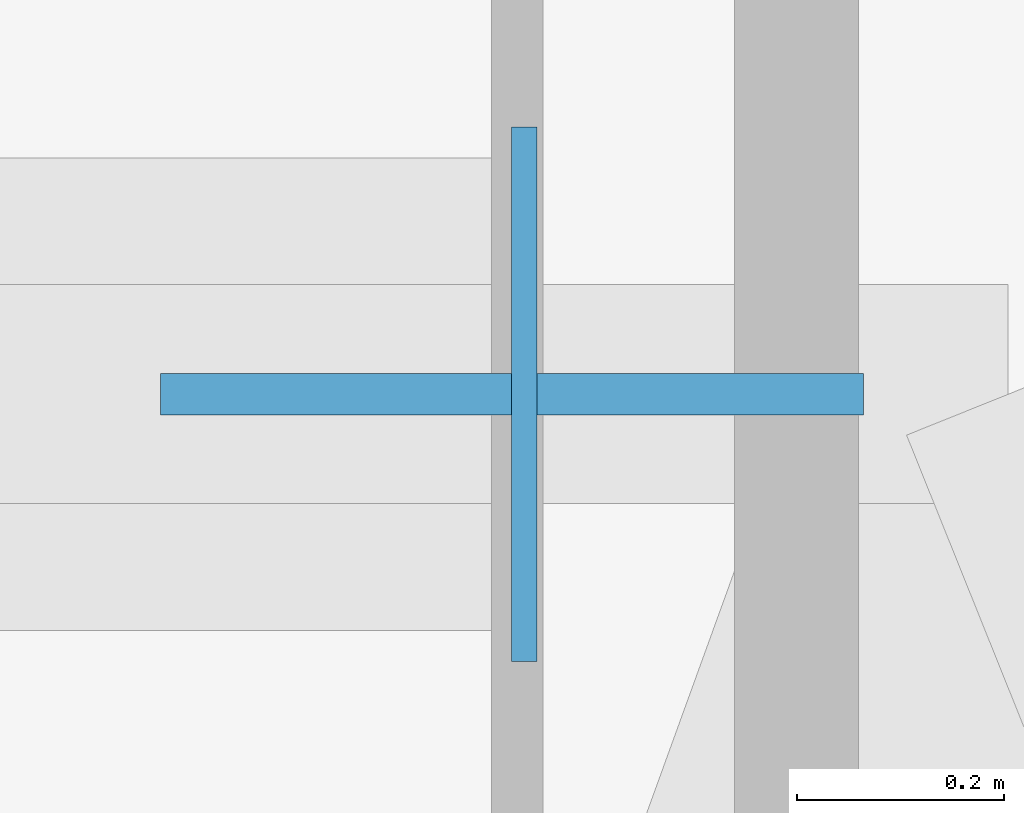
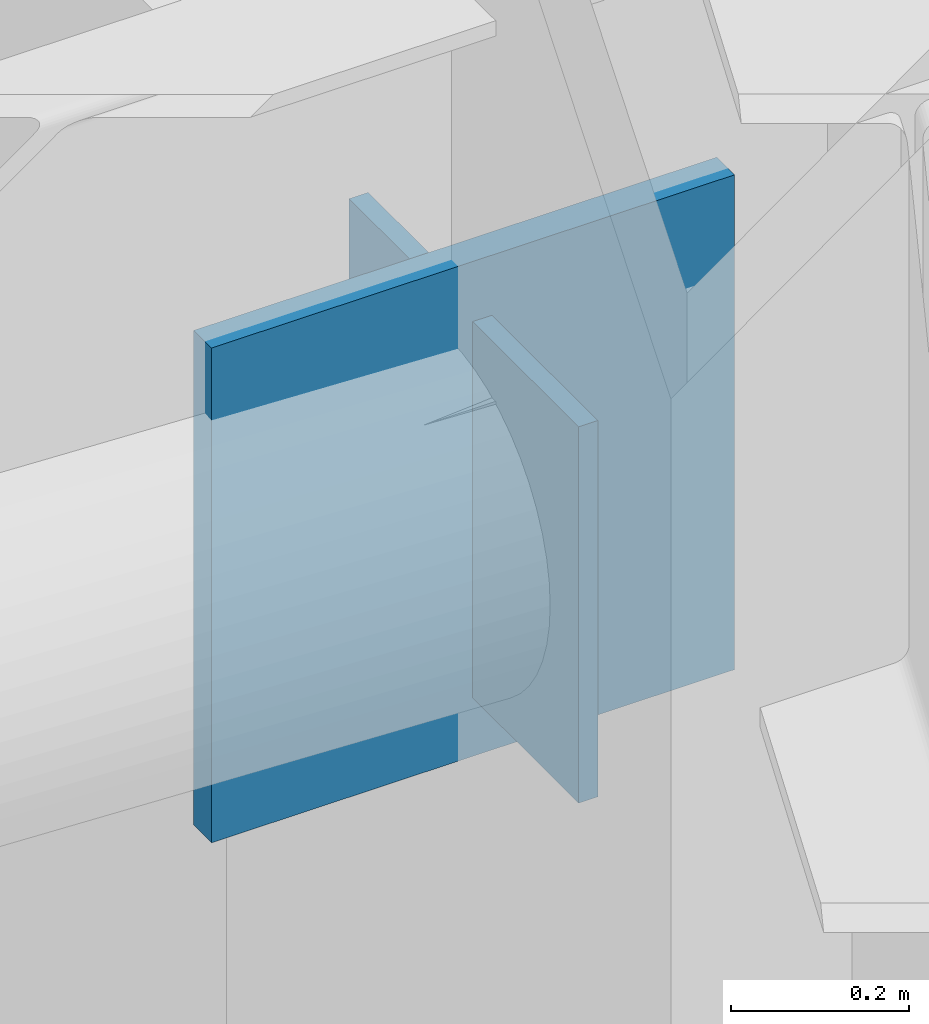
# One storey, part 6 of 15: 2 plates.
"""IFC4 building model written with IfcOpenShell, lengths in metres."""

from ifc_helpers import new_model, si_unit, direction, frame, origin, origin_2d, place, context, subcontext, project, spatial, rectangle, extrude, material, layer, layer_set, type_object, element, save


model = new_model("IFC4")

# Units and contexts
model_context = context("Model", 3, precision=1e-05, world=origin(), true_north=direction((0.0, 1.0)))
body_context = subcontext(model_context, "Body", "Model", "MODEL_VIEW")
ifc_project = project(units=[si_unit("LENGTHUNIT", "METRE"), si_unit("AREAUNIT", "SQUARE_METRE"), si_unit("VOLUMEUNIT", "CUBIC_METRE"), si_unit("PLANEANGLEUNIT", "RADIAN"), si_unit("MASSUNIT", "GRAM", prefix="KILO")], contexts=[model_context])

# Site, building, storey
site_placement = place(None, origin())
site = spatial("IfcSite", under=ifc_project, at=site_placement, CompositionType="ELEMENT")
building_placement = place(site_placement, origin())
building = spatial("IfcBuilding", under=site, at=building_placement, Name="Khamvora Tower", CompositionType="ELEMENT")
storey_placement = place(building_placement, frame((0.0, 0.0, 101.89990234375)))
storey = spatial("IfcBuildingStorey", under=building, at=storey_placement, Name="L25", CompositionType="ELEMENT", Elevation=101.89990234375)

# Plates
ifc_material_1 = material(Name="Steel S355", Category="steel")
ifc_layer_1 = layer(ifc_material_1, 0.02490234375)
ifc_layer_set_1 = layer_set([ifc_layer_1], Name="Steel S355")
plate_type_1 = type_object("IfcPlateType", Name="PL-CAP-25", PredefinedType="SHEET", material=ifc_layer_set_1)
plate_1_placement = place(storey_placement, frame((49.48193359375, 47.300048828125, 2.440673828125), z_axis=(0.0, 0.0, 1.0), x_axis=(-1.0, 0.0, 0.0)))
element("IfcPlate", 1, at=plate_1_placement, inside=storey, type_object=plate_type_1, Name="L25 hollow section steel end cap plate 0746", PredefinedType="SHEET", context=body_context, shape_type="SweptSolid", body=[
    extrude(rectangle(XDim=0.02490234375, YDim=0.51708984375, at=origin_2d()), origin(), (0.0, 0.0, 1.0), 0.51708984375),
])
ifc_material_2 = material(Name="Steel S460", Category="steel")
ifc_layer_2 = layer(ifc_material_2, 0.0400390625)
ifc_layer_set_2 = layer_set([ifc_layer_2], Name="Steel S460")
plate_type_2 = type_object("IfcPlateType", Name="PLT-GUS-40", PredefinedType="SHEET", material=ifc_layer_set_2)
plate_2_placement = place(storey_placement, frame((49.469970703125, 47.300048828125, 2.3603515625), z_axis=(0.0, 0.0, 1.0), x_axis=(1.0, 0.0, 0.0)))
element("IfcPlate", 2, at=plate_2_placement, inside=storey, type_object=plate_type_2, Name="L25 brace connection node gusset plate 0179", PredefinedType="SHEET", context=body_context, shape_type="SweptSolid", body=[
    extrude(rectangle(XDim=0.679931640625, YDim=0.0400390625, at=origin_2d()), origin(), (0.0, 0.0, 1.0), 0.679931640625),
])

save(model, "model.ifc")
